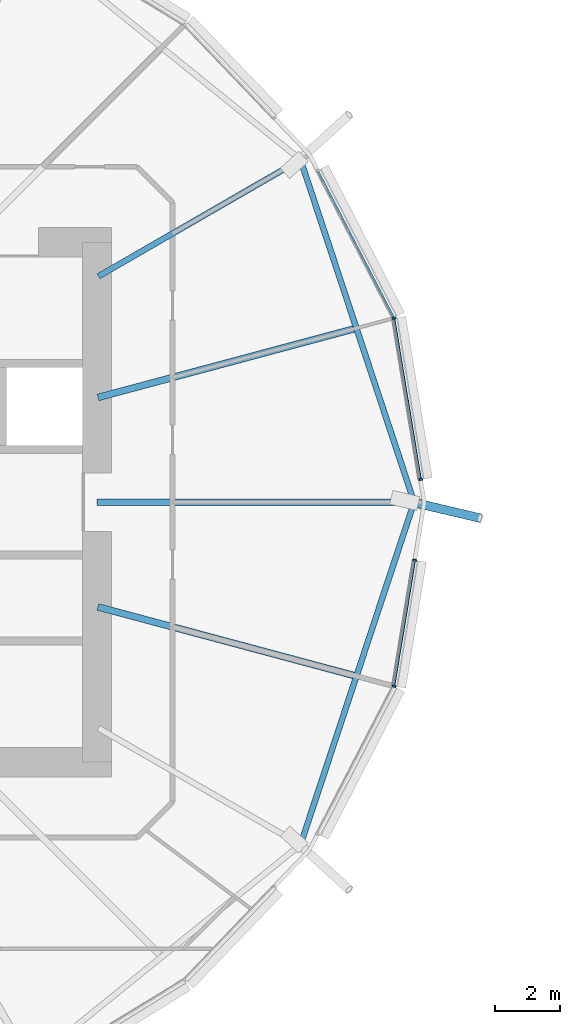
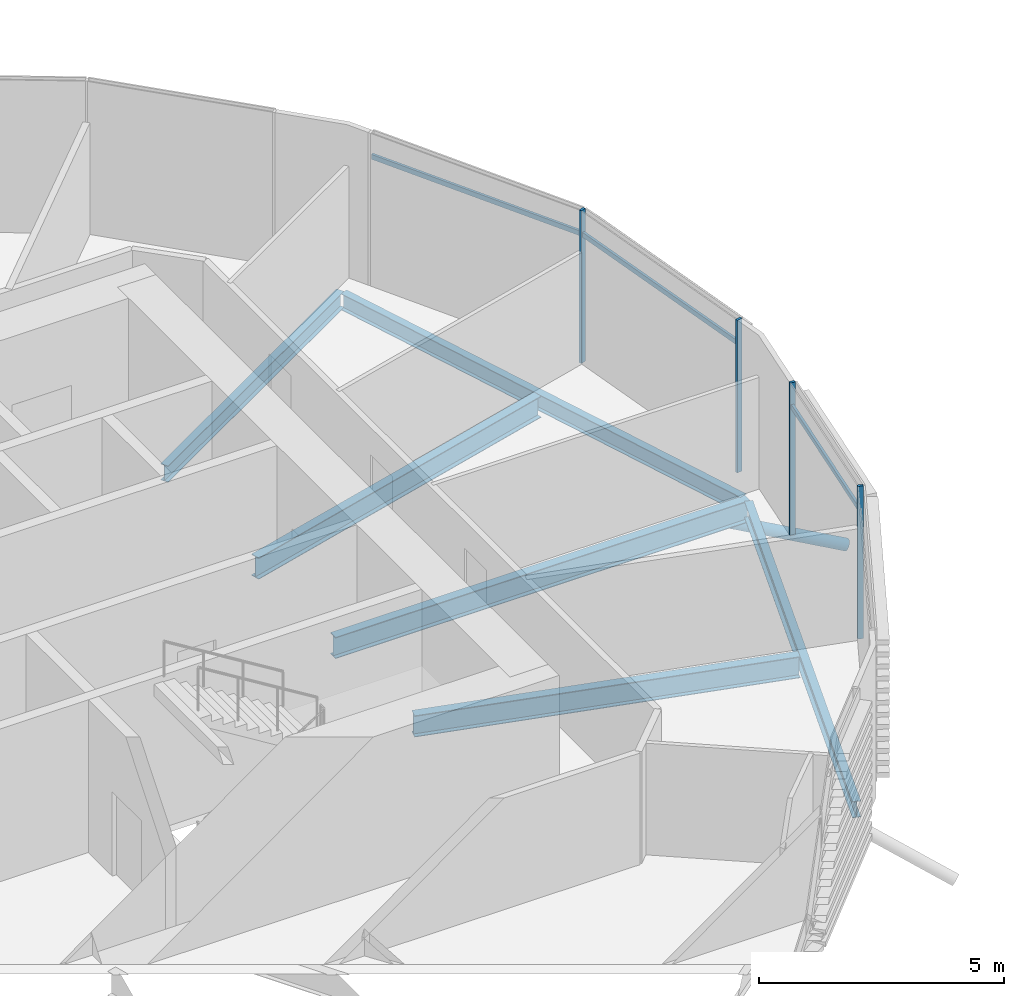
# One storey, part 8 of 36: 8 members, 6 beams, 1 element without a shape of its own.
"""IFC4 building model written with IfcOpenShell, lengths in metres."""

import ifcopenshell
import ifcopenshell.guid

model = None  # the IFC model being written
_history = None  # IfcOwnerHistory: only IFC2X3 demands one
_inside = {}  # id of a spatial element -> (the spatial element, [elements in it])
_under = {}  # id of a project, library or spatial element -> (it, [spatial elements below it])
_declared = {}  # id of a project -> (the project, [libraries it declares])
_typed = {}  # id of a type object -> (the type object, [elements of that type])
_made_of = {}  # id of a material, layer set ... -> (it, [elements and type objects made of it])


def new_model(schema):
    """Start an empty IFC model of exactly this schema.

    Asked for "IFC4X3", IfcOpenShell would pick the latest addendum, in which some entities
    have other attributes; the version numbers below select the first issue.
    IFC2X3 requires an IfcOwnerHistory on every rooted entity: one is made here for all.
    """
    global model, _history
    if schema == "IFC4X3":
        model = ifcopenshell.file(schema_version=(4, 3, 0, 0))
    else:
        model = ifcopenshell.file(schema=schema)
    _inside.clear()
    _under.clear()
    _declared.clear()
    _typed.clear()
    _made_of.clear()
    _history = None
    if model.schema == "IFC2X3":
        org = make("IfcOrganization", Name="unknown")
        user = make(
            "IfcPersonAndOrganization",
            ThePerson=make("IfcPerson", FamilyName="unknown"),
            TheOrganization=org,
        )
        app = make(
            "IfcApplication",
            ApplicationDeveloper=org,
            Version="unknown",
            ApplicationFullName="unknown",
            ApplicationIdentifier="unknown",
        )
        _history = make(
            "IfcOwnerHistory",
            OwningUser=user,
            OwningApplication=app,
            ChangeAction="ADDED",
            CreationDate=0,
        )
    return model


def make(cls, **values):
    """One entity of the class cls with the attributes given. An attribute that is None is left unset."""
    return model.create_entity(
        cls, **{name: value for name, value in values.items() if value is not None}
    )


def rooted(cls, **values):
    """An entity with a GlobalId (a new one), such as an element, a storey or a relation."""
    return make(cls, GlobalId=ifcopenshell.guid.new(), OwnerHistory=_history, **values)


def si_unit(unit_type, name, prefix=None):
    """IfcSIUnit, for example si_unit("LENGTHUNIT", "METRE", prefix="MILLI")."""
    return make("IfcSIUnit", UnitType=unit_type, Prefix=prefix, Name=name)


def assignment(units):
    """IfcUnitAssignment: the units of a project."""
    return None if units is None else make("IfcUnitAssignment", Units=units)


def point(xyz):
    """IfcCartesianPoint."""
    return None if xyz is None else make("IfcCartesianPoint", Coordinates=xyz)


def direction(xyz):
    """IfcDirection."""
    return None if xyz is None else make("IfcDirection", DirectionRatios=xyz)


def frame(location, z_axis=None, x_axis=None):
    """IfcAxis2Placement3D, a coordinate frame: its origin and axes. An axis left out is left unset."""
    return make(
        "IfcAxis2Placement3D",
        Location=point(location),
        Axis=direction(z_axis),
        RefDirection=direction(x_axis),
    )


def frame_2d(location, x_axis=None):
    """IfcAxis2Placement2D, a coordinate frame in the plane: its origin and x axis."""
    return make(
        "IfcAxis2Placement2D", Location=point(location), RefDirection=direction(x_axis)
    )


def origin():
    """The frame at (0, 0, 0) with its axes left unset."""
    return frame((0.0, 0.0, 0.0))


def origin_2d():
    """The frame at (0, 0) in the plane with its x axis left unset."""
    return frame_2d((0.0, 0.0))


def place(relative_to, where):
    """IfcLocalPlacement: puts the frame where relative to a parent placement (None: the world)."""
    return make(
        "IfcLocalPlacement", PlacementRelTo=relative_to, RelativePlacement=where
    )


def context(
    kind, dimensions, precision=None, world=None, true_north=None, identifier=None
):
    """IfcGeometricRepresentationContext, for example the 3D "Model" context."""
    return make(
        "IfcGeometricRepresentationContext",
        ContextIdentifier=identifier,
        ContextType=kind,
        CoordinateSpaceDimension=dimensions,
        Precision=precision,
        WorldCoordinateSystem=world,
        TrueNorth=true_north,
    )


def subcontext(parent, identifier, kind, view, scale=None):
    """IfcGeometricRepresentationSubContext, for example "Body" below "Model"."""
    return make(
        "IfcGeometricRepresentationSubContext",
        ContextIdentifier=identifier,
        ContextType=kind,
        ParentContext=parent,
        TargetScale=scale,
        TargetView=view,
    )


def project(units=None, contexts=None):
    """IfcProject with its units and contexts."""
    return rooted(
        "IfcProject",
        Name="project",
        RepresentationContexts=contexts,
        UnitsInContext=assignment(units),
    )


def spatial(cls, under=None, at=None, **own):
    """A site, building, storey or space (cls), placed at a placement, below another one or the project."""
    s = rooted(cls, ObjectPlacement=at, **own)
    if under is not None:
        _under.setdefault(under.id(), (under, []))[1].append(s)
    return s


def profile(cls, at=None, kind="AREA", **sizes):
    """A parametric profile (cls). Its sizes go by their IFC names, for example OverallWidth=200.0."""
    return make(cls, ProfileType=kind, Position=at, **sizes)


def rectangle(**sizes):
    """IfcRectangleProfileDef."""
    return profile("IfcRectangleProfileDef", **sizes)


def hollow_circle(**sizes):
    """IfcCircleHollowProfileDef."""
    return profile("IfcCircleHollowProfileDef", **sizes)


def i_section(**sizes):
    """IfcIShapeProfileDef."""
    return profile("IfcIShapeProfileDef", **sizes)


def extrude(swept, where, along, depth):
    """IfcExtrudedAreaSolid: the profile swept, set in the frame where, extruded along a direction by depth."""
    return make(
        "IfcExtrudedAreaSolid",
        SweptArea=swept,
        Position=where,
        ExtrudedDirection=direction(along),
        Depth=depth,
    )


def clip(a, b, op="DIFFERENCE"):
    """IfcBooleanClippingResult: the solid a cut by the half space b."""
    return make(
        "IfcBooleanClippingResult", Operator=op, FirstOperand=a, SecondOperand=b
    )


def halfspace(plane, agree):
    """IfcHalfSpaceSolid: all space on one side of the plane z = 0 of the frame plane."""
    return make(
        "IfcHalfSpaceSolid",
        BaseSurface=make("IfcPlane", Position=plane),
        AgreementFlag=agree,
    )


def shape(context_of_items, identifier, shape_type, items):
    """IfcShapeRepresentation: the items that make up one representation, for example the "Body"."""
    return make(
        "IfcShapeRepresentation",
        ContextOfItems=context_of_items,
        RepresentationIdentifier=identifier,
        RepresentationType=shape_type,
        Items=items,
    )


def material(Name=None, Category=None):
    """IfcMaterial."""
    return make("IfcMaterial", Name=Name, Category=Category)


def material_profile(
    of_material, cross_section, Name=None, Category=None, Priority=None
):
    """IfcMaterialProfile: a cross section and its material."""
    return make(
        "IfcMaterialProfile",
        Name=Name,
        Material=of_material,
        Profile=cross_section,
        Priority=Priority,
        Category=Category,
    )


def profile_set(profiles, Name=None, composite=None):
    """IfcMaterialProfileSet."""
    return make(
        "IfcMaterialProfileSet",
        Name=Name,
        MaterialProfiles=profiles,
        CompositeProfile=composite,
    )


def made_of(thing, what):
    """Note that an element or type object is made of a material, layer set ...; save() writes the relation."""
    if what is not None:
        _made_of.setdefault(what.id(), (what, []))[1].append(thing)
    return thing


def type_object(cls, material=None, **own):
    """A type object (cls), such as IfcWallType, which elements share."""
    return made_of(rooted(cls, **own), material)


def element(
    cls,
    number,
    at=None,
    inside=None,
    cuts=None,
    type_object=None,
    material=None,
    context=None,
    identifier="Body",
    shape_type=None,
    held_by="IfcProductDefinitionShape",
    body=None,
    shapes=None,
    **own,
):
    """One element of the class cls, such as IfcWall. Its Tag is "e" and its number.

    at: its placement. inside: the storey or other place that contains it. cuts: it is an
    opening in that element (IfcRelVoidsElement). A single representation is given by context,
    identifier, shape_type and body (its items); several are given by shapes. held_by: the class
    of the entity that holds the representations. save() writes the other relations.
    """
    e = rooted(cls, Tag="e%d" % number, ObjectPlacement=at, **own)
    if body is not None:
        shapes = [shape(context, identifier, shape_type, body)]
    if shapes is not None:
        e.Representation = make(held_by, Representations=shapes)
    if inside is not None:
        _inside.setdefault(inside.id(), (inside, []))[1].append(e)
    if cuts is not None:
        rooted(
            "IfcRelVoidsElement", RelatingBuildingElement=cuts, RelatedOpeningElement=e
        )
    if type_object is not None:
        _typed.setdefault(type_object.id(), (type_object, []))[1].append(e)
    return made_of(e, material)


def aggregate(whole, parts):
    """IfcRelAggregates: a whole, such as a stair, and the parts it consists of."""
    return rooted("IfcRelAggregates", RelatingObject=whole, RelatedObjects=parts)


def save(model, path):
    """Write the relations noted so far, then the file.

    IfcRelAggregates (storeys below a building ...), IfcRelContainedInSpatialStructure (elements
    in a storey), IfcRelDefinesByType, IfcRelAssociatesMaterial and IfcRelDeclares: one each for
    every whole, place, type object, material and project.
    """
    for whole, parts in _under.values():
        aggregate(whole, parts)
    for where, things in _inside.values():
        rooted(
            "IfcRelContainedInSpatialStructure",
            RelatedElements=things,
            RelatingStructure=where,
        )
    for kind, things in _typed.values():
        rooted("IfcRelDefinesByType", RelatedObjects=things, RelatingType=kind)
    for what, things in _made_of.values():
        rooted("IfcRelAssociatesMaterial", RelatedObjects=things, RelatingMaterial=what)
    for by, libraries in _declared.values():
        rooted("IfcRelDeclares", RelatingContext=by, RelatedDefinitions=libraries)
    model.write(path)


model = new_model("IFC4")

# Units and contexts
model_context = context("Model", 3, precision=1e-05, world=origin(), true_north=direction((0.0, 1.0)))
body_context = subcontext(model_context, "Body", "Model", "MODEL_VIEW")
ifc_project = project(units=[si_unit("LENGTHUNIT", "METRE"), si_unit("AREAUNIT", "SQUARE_METRE"), si_unit("VOLUMEUNIT", "CUBIC_METRE"), si_unit("PLANEANGLEUNIT", "RADIAN"), si_unit("MASSUNIT", "GRAM", prefix="KILO")], contexts=[model_context])

# Site, building, storey
site_placement = place(None, origin())
site = spatial("IfcSite", under=ifc_project, at=site_placement, CompositionType="ELEMENT")
building_placement = place(site_placement, origin())
building = spatial("IfcBuilding", under=site, at=building_placement, Name="Rimbun Link Towers", CompositionType="ELEMENT")
storey_placement = place(building_placement, frame((0.0, 0.0, 33.800048828125)))
storey = spatial("IfcBuildingStorey", under=building, at=storey_placement, Name="L07", CompositionType="ELEMENT", Elevation=33.800048828125)

# Curtain wall, members
ifc_material_1 = material(Name="Aluminium 6063-T6 and low-iron glass", Category="aluminium")
curtain_wall_type = type_object("IfcCurtainWallType", Name="CW1 unitised vision wall", PredefinedType="NOTDEFINED", material=ifc_material_1)
curtain_wall_placement = place(storey_placement, origin())
curtain_wall = element("IfcCurtainWall", 1, at=curtain_wall_placement, inside=storey, type_object=curtain_wall_type, Name="CW1 L07 T1", PredefinedType="NOTDEFINED")
ifc_material_2 = material(Name="Aluminium 6063-T6", Category="aluminium")
ifc_material_profile_1 = material_profile(ifc_material_2, rectangle(XDim=0.1201171875, YDim=0.06005859375, at=origin_2d()), Name="MULLION 60X120")
ifc_profile_set_1 = profile_set([ifc_material_profile_1], Name="Aluminium 6063-T6")
member_type_1 = type_object("IfcMemberType", Name="CW1 mullion 60X120", PredefinedType="MULLION", material=ifc_profile_set_1)
member_1_placement = place(storey_placement, frame((-10.609375, 5.668212890625, 0.0), z_axis=(0.0, 0.0, 1.0), x_axis=(0.949161416896, 0.314789778545, 0.0)))
member_1 = element("IfcMember", 2, at=member_1_placement, type_object=member_type_1, Name="CW1 mullion", PredefinedType="MULLION", context=body_context, shape_type="SweptSolid", body=[
    extrude(rectangle(XDim=0.1201171875, YDim=0.06005859375, at=origin_2d()), origin(), (0.0, 0.0, 1.0), 3.800048828125),
])
member_2_placement = place(storey_placement, frame((-9.791748046875, 0.700439453125, 0.0), z_axis=(0.0, 0.0, 1.0), x_axis=(0.986747549108, 0.162262978927, 0.0)))
member_2 = element("IfcMember", 3, at=member_2_placement, type_object=member_type_1, Name="CW1 mullion", PredefinedType="MULLION", context=body_context, shape_type="SweptSolid", body=[
    extrude(rectangle(XDim=0.1201171875, YDim=0.06005859375, at=origin_2d()), origin(), (0.0, 0.0, 1.0), 3.800048828125),
])
member_3_placement = place(storey_placement, frame((-10.609375, -5.668212890625, 0.0), z_axis=(0.0, 0.0, 1.0), x_axis=(0.949161416896, -0.314789778545, 0.0)))
member_3 = element("IfcMember", 4, at=member_3_placement, type_object=member_type_1, Name="CW1 mullion", PredefinedType="MULLION", context=body_context, shape_type="SweptSolid", body=[
    extrude(rectangle(XDim=0.1201171875, YDim=0.06005859375, at=origin_2d()), origin(), (0.0, 0.0, 1.0), 3.800048828125),
])
member_4_placement = place(storey_placement, frame((-9.97021484375, -1.785888671875, 0.0), z_axis=(0.0, 0.0, 1.0), x_axis=(0.986747549108, -0.162262978927, 0.0)))
member_4 = element("IfcMember", 5, at=member_4_placement, type_object=member_type_1, Name="CW1 mullion", PredefinedType="MULLION", context=body_context, shape_type="SweptSolid", body=[
    extrude(rectangle(XDim=0.1201171875, YDim=0.06005859375, at=origin_2d()), origin(), (0.0, 0.0, 1.0), 3.800048828125),
])
ifc_material_3 = material(Name="Aluminium 6063-T6", Category="aluminium")
ifc_material_profile_2 = material_profile(ifc_material_3, rectangle(XDim=0.06005859375, YDim=0.1201171875, at=origin_2d()), Name="TRANSOM 60X120")
ifc_profile_set_2 = profile_set([ifc_material_profile_2], Name="Aluminium 6063-T6")
member_type_2 = type_object("IfcMemberType", Name="CW1 transom 60X120", PredefinedType="USERDEFINED", material=ifc_profile_set_2)
member_5_placement = place(storey_placement, frame((-10.604248046875, 5.629150390625, 3.199951171875), z_axis=(0.162261690804, -0.986747760928, 0.0), x_axis=(0.986747760928, 0.162261690804, 0.0)))
member_5 = element("IfcMember", 6, at=member_5_placement, type_object=member_type_2, Name="CW1 transom", ObjectType="TRANSOM", PredefinedType="USERDEFINED", context=body_context, shape_type="SweptSolid", body=[
    extrude(rectangle(XDim=0.06005859375, YDim=0.1201171875, at=origin_2d()), origin(), (0.0, 0.0, 1.0), 4.96533203125),
])
member_6_placement = place(storey_placement, frame((-12.947265625, 10.183837890625, 3.199951171875), z_axis=(0.459538755132, -0.888157718275, 0.0), x_axis=(0.888157718275, 0.459538755132, 0.0)))
member_6 = element("IfcMember", 7, at=member_6_placement, type_object=member_type_2, Name="CW1 transom", ObjectType="TRANSOM", PredefinedType="USERDEFINED", context=body_context, shape_type="SweptSolid", body=[
    extrude(rectangle(XDim=0.06005859375, YDim=0.1201171875, at=origin_2d()), origin(), (0.0, 0.0, 1.0), 5.04541015625),
])
member_7_placement = place(storey_placement, frame((-9.97705078125, -1.815185546875, 3.199951171875), z_axis=(-0.162268101995, -0.986746706645, 0.0), x_axis=(0.986746706645, -0.162268101995, 0.0)))
member_7 = element("IfcMember", 8, at=member_7_placement, type_object=member_type_2, Name="CW1 transom", ObjectType="TRANSOM", PredefinedType="USERDEFINED", context=body_context, shape_type="SweptSolid", body=[
    extrude(rectangle(XDim=0.06005859375, YDim=0.1201171875, at=origin_2d()), origin(), (0.0, 0.0, 1.0), 3.865234375),
])
aggregate(curtain_wall, [member_1, member_2, member_3, member_4, member_5, member_6, member_7])

# Member
ifc_material_4 = material(Name="Steel S355J2H", Category="steel")
ifc_material_profile_3 = material_profile(ifc_material_4, hollow_circle(Radius=0.136474609375, WallThickness=0.012451171875, at=origin_2d()), Name="CHS 273x12.5")
ifc_profile_set_3 = profile_set([ifc_material_profile_3], Name="Steel S355J2H")
member_type_3 = type_object("IfcMemberType", Name="Floor edge link CHS 273x12.5", PredefinedType="BRACE", material=ifc_profile_set_3)
member_8_placement = place(storey_placement, frame((-10.040771484375, 0.0, -0.818359375), z_axis=(0.894128591254, -0.210512124263, -0.39524512374), x_axis=(0.229172323321, 0.973385867076, 0.0)))
element("IfcMember", 9, at=member_8_placement, inside=storey, type_object=member_type_3, Name="Floor edge link T1 L07 00", PredefinedType="BRACE", context=body_context, shape_type="Clipping", body=[
    clip(extrude(hollow_circle(Radius=0.136474609375, WallThickness=0.012451171875, at=origin_2d()), frame((0.0, 0.0, -0.65966796875)), (0.0, 0.0, 1.0), 2.9990234375), halfspace(frame((0.0, 0.0, -0.311767578125), z_axis=(0.0, 0.91857568668, -0.39524512374)), False)),
])

# Beams
ifc_material_5 = material(Name="Steel S355J2", Category="steel")
ifc_material_profile_4 = material_profile(ifc_material_5, i_section(OverallWidth=0.177978515625, OverallDepth=0.406494140625, WebThickness=0.0078125, FlangeThickness=0.0126953125, at=origin_2d()), Name="UB 406x178x60")
ifc_profile_set_4 = profile_set([ifc_material_profile_4], Name="Steel S355J2")
beam_type_1 = type_object("IfcBeamType", Name="UB 406x178x60", PredefinedType="BEAM", material=ifc_profile_set_4)
beam_1_placement = place(storey_placement, frame((-19.70458984375, 6.954345703125, -0.36328125), z_axis=(0.866026433283, 0.499998216852, 0.0), x_axis=(-0.499998216852, 0.866026433283, 0.0)))
element("IfcBeam", 10, at=beam_1_placement, inside=storey, type_object=beam_type_1, Name="Radial beam T1 L07 02", PredefinedType="BEAM", context=body_context, shape_type="SweptSolid", body=[
    extrude(i_section(OverallWidth=0.177978515625, OverallDepth=0.406494140625, WebThickness=0.0078125, FlangeThickness=0.0126953125, at=origin_2d()), origin(), (0.0, 0.0, 1.0), 7.17822265625),
])
for number, where, z_axis, x_axis, name in (
    (11, (-10.025634765625, 0.105712890625, -0.36328125), (-0.314857323299, 0.949139012982, 0.0), (-0.949139012982, -0.314857323299, 0.0), "Edge beam T1 L07 00-02"),
    (12, (-13.459228515625, -10.456298828125, -0.36328125), (0.314857323299, 0.949139012982, 0.0), (-0.949139012982, 0.314857323299, 0.0), "Edge beam T1 L07 22-00"),
):
    element("IfcBeam", number, at=place(storey_placement, frame(where, z_axis=z_axis, x_axis=x_axis)), inside=storey, type_object=beam_type_1, Name=name, PredefinedType="BEAM", context=body_context, shape_type="SweptSolid", body=[
        extrude(i_section(OverallWidth=0.177978515625, OverallDepth=0.406494140625, WebThickness=0.0078125, FlangeThickness=0.0126953125, at=origin_2d()), origin(), (0.0, 0.0, 1.0), 10.9052734375),
    ])
ifc_material_6 = material(Name="Steel S355J2", Category="steel")
ifc_material_profile_5 = material_profile(ifc_material_6, i_section(OverallWidth=0.209228515625, OverallDepth=0.533203125, WebThickness=0.010009765625, FlangeThickness=0.015625, at=origin_2d()), Name="UB 533x210x92")
ifc_profile_set_5 = profile_set([ifc_material_profile_5], Name="Steel S355J2")
beam_type_2 = type_object("IfcBeamType", Name="UB 533x210x92", PredefinedType="BEAM", material=ifc_profile_set_5)
beam_2_placement = place(storey_placement, frame((-19.7490234375, 0.0, -0.4267578125), z_axis=(1.0, 0.0, 0.0), x_axis=(0.0, 1.0, 0.0)))
element("IfcBeam", 13, at=beam_2_placement, inside=storey, type_object=beam_type_2, Name="Radial beam T1 L07 00", PredefinedType="BEAM", context=body_context, shape_type="SweptSolid", body=[
    extrude(i_section(OverallWidth=0.209228515625, OverallDepth=0.533203125, WebThickness=0.010009765625, FlangeThickness=0.015625, at=origin_2d()), origin(), (0.0, 0.0, 1.0), 9.75830078125),
])
for number, where, z_axis, x_axis, name in (
    (14, (-19.721923828125, 3.222900390625, -0.4267578125), (0.965919821247, 0.258841455186, 0.0), (-0.258841455186, 0.965919821247, 0.0), "Radial beam T1 L07 01"),
    (15, (-19.721923828125, -3.222900390625, -0.4267578125), (0.965919821247, -0.258841455186, 0.0), (0.258841455186, 0.965919821247, 0.0), "Radial beam T1 L07 23"),
):
    element("IfcBeam", number, at=place(storey_placement, frame(where, z_axis=z_axis, x_axis=x_axis)), inside=storey, type_object=beam_type_2, Name=name, PredefinedType="BEAM", context=body_context, shape_type="SweptSolid", body=[
        extrude(i_section(OverallWidth=0.209228515625, OverallDepth=0.533203125, WebThickness=0.010009765625, FlangeThickness=0.015625, at=origin_2d()), origin(), (0.0, 0.0, 1.0), 8.1455078125),
    ])

save(model, "model.ifc")
